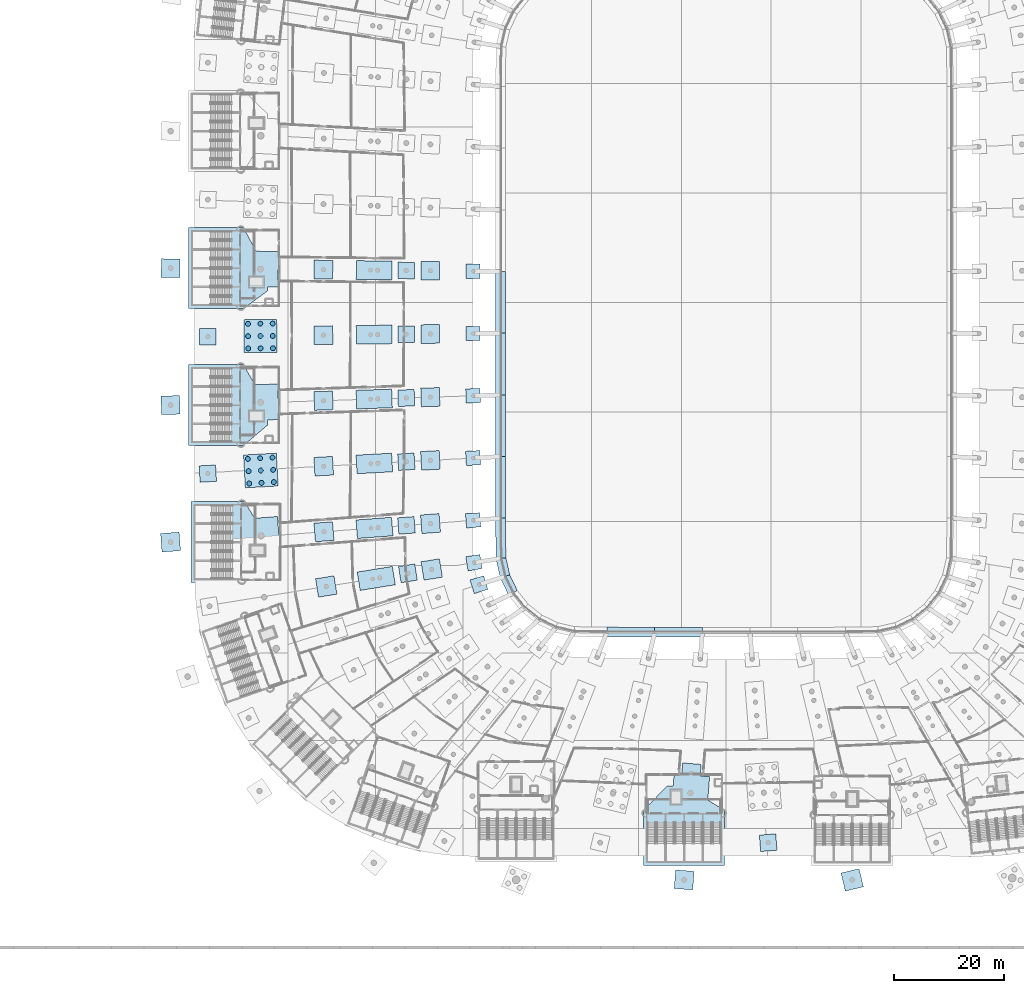
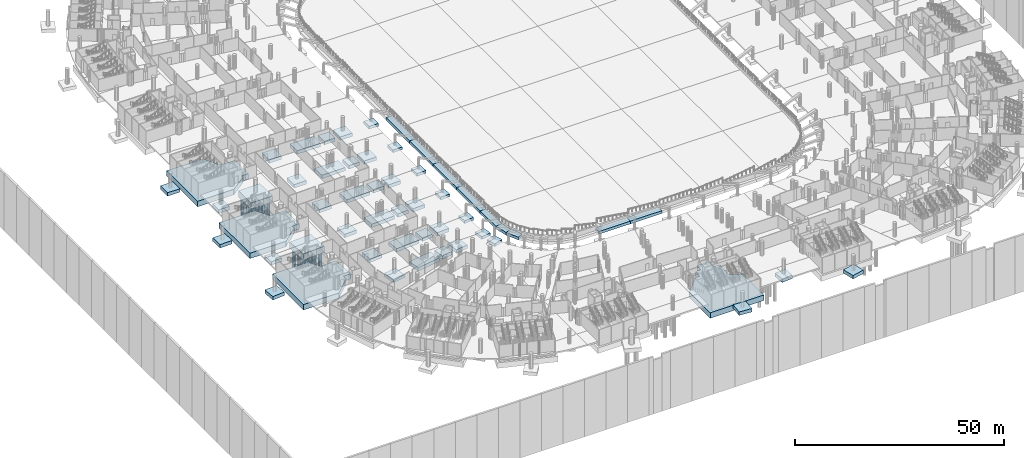
# One storey, part 2 of 142: 54 footings, 18 piles.
"""IFC4 building model written with IfcOpenShell, lengths in metres."""

from ifc_helpers import new_model, si_unit, direction, frame, origin, origin_2d, place, context, subcontext, project, spatial, polyline, circle, outline, extrude, material, material_profile, profile_set, type_object, element, save


model = new_model("IFC4")

# Units and contexts
model_context = context("Model", 3, precision=1e-05, world=origin(), true_north=direction((0.0, 1.0)))
body_context = subcontext(model_context, "Body", "Model", "MODEL_VIEW")
ifc_project = project(units=[si_unit("LENGTHUNIT", "METRE"), si_unit("AREAUNIT", "SQUARE_METRE"), si_unit("VOLUMEUNIT", "CUBIC_METRE"), si_unit("PLANEANGLEUNIT", "RADIAN"), si_unit("MASSUNIT", "GRAM", prefix="KILO")], contexts=[model_context])

# Site, building, storey
site_placement = place(None, origin())
site = spatial("IfcSite", under=ifc_project, at=site_placement, CompositionType="ELEMENT")
building_placement = place(site_placement, origin())
building = spatial("IfcBuilding", under=site, at=building_placement, Name="Meseta Stadium", CompositionType="ELEMENT")
storey_placement = place(building_placement, frame((0.0, 0.0, -4.0)))
storey = spatial("IfcBuildingStorey", under=building, at=storey_placement, Name="B1", CompositionType="ELEMENT", Elevation=-4.0)

# Piles
ifc_material_1 = material(Name="Concrete C30/37", Category="concrete")
ifc_material_profile = material_profile(ifc_material_1, circle(Radius=0.449951171875, at=origin_2d()), Name="D900")
ifc_profile_set = profile_set([ifc_material_profile], Name="Concrete C30/37")
pile_type = type_object("IfcPileType", Name="Bored pile D900 A", PredefinedType="BORED", material=ifc_profile_set)
for number, where, z_axis, x_axis, name in (
    (1, (-82.771728515625, -3.86279296875, -2.10009765625), (0.0, 0.0, -1.0), (1.0, 0.0, 0.0), "Bored pile BP9A 33-P-01"),
    (2, (-82.7470703125, -6.112548828125, -2.10009765625), (0.0, 0.0, -1.0), (1.0, 0.0, 0.0), "Bored pile BP9A 33-P-02"),
    (3, (-82.722412109375, -8.3623046875, -2.10009765625), (0.0, 0.0, -1.0), (1.0, 0.0, 0.0), "Bored pile BP9A 33-P-03"),
    (4, (-85.021728515625, -3.88720703125, -2.10009765625), (0.0, 0.0, -1.0), (1.0, 0.0, 0.0), "Bored pile BP9A 33-P-04"),
    (5, (-84.9970703125, -6.13720703125, -2.10009765625), (0.0, 0.0, -1.0), (1.0, 0.0, 0.0), "Bored pile BP9A 33-P-05"),
    (6, (-84.972412109375, -8.38720703125, -2.10009765625), (0.0, 0.0, -1.0), (1.0, 0.0, 0.0), "Bored pile BP9A 33-P-06"),
    (7, (-87.271484375, -3.912109375, -2.10009765625), (0.0, 0.0, -1.0), (1.0, 0.0, 0.0), "Bored pile BP9A 33-P-07"),
    (8, (-87.246826171875, -6.161865234375, -2.10009765625), (0.0, 0.0, -1.0), (1.0, 0.0, 0.0), "Bored pile BP9A 33-P-08"),
    (9, (-87.22216796875, -8.41162109375, -2.10009765625), (0.0, 0.0, -1.0), (1.0, 0.0, 0.0), "Bored pile BP9A 33-P-09"),
    (10, (-82.802001953125, -28.31201171875, -2.10009765625), (0.0, 0.0, -1.0), (1.0, 0.0, 0.0), "Bored pile BP9A 35-P-01"),
    (11, (-82.6787109375, -30.55859375, -2.10009765625), (0.0, 0.0, -1.0), (1.0, 0.0, 0.0), "Bored pile BP9A 35-P-02"),
    (12, (-82.555419921875, -32.80517578125, -2.10009765625), (0.0, 0.0, -1.0), (1.0, 0.0, 0.0), "Bored pile BP9A 35-P-03"),
    (13, (-85.048583984375, -28.43505859375, -2.10009765625), (0.0, 0.0, -1.0), (1.0, 0.0, 0.0), "Bored pile BP9A 35-P-04"),
    (14, (-84.92529296875, -30.681640625, -2.10009765625), (0.0, 0.0, -1.0), (1.0, 0.0, 0.0), "Bored pile BP9A 35-P-05"),
    (15, (-84.80224609375, -32.92822265625, -2.10009765625), (0.0, 0.0, -1.0), (1.0, 0.0, 0.0), "Bored pile BP9A 35-P-06"),
    (16, (-87.295166015625, -28.55810546875, -2.10009765625), (0.0, 0.0, -1.0), (1.0, 0.0, 0.0), "Bored pile BP9A 35-P-07"),
    (17, (-87.172119140625, -30.804931640625, -2.10009765625), (0.0, 0.0, -1.0), (1.0, 0.0, 0.0), "Bored pile BP9A 35-P-08"),
    (18, (-87.048828125, -33.051513671875, -2.10009765625), (0.0, 0.0, -1.0), (1.0, 0.0, 0.0), "Bored pile BP9A 35-P-09"),
):
    element("IfcPile", number, at=place(storey_placement, frame(where, z_axis=z_axis, x_axis=x_axis)), inside=storey, type_object=pile_type, Name=name, PredefinedType="BORED", context=body_context, shape_type="SweptSolid", body=[
        extrude(circle(Radius=0.449951171875, at=origin_2d()), origin(), (0.0, 0.0, 1.0), 10.89990234375),
    ])

# Footings
ifc_material_2 = material(Name="Concrete C30/37", Category="concrete")
footing_type_1 = type_object("IfcFootingType", Name="Combined footing 6500x3400", PredefinedType="PAD_FOOTING", material=ifc_material_2)
footing_1_placement = place(storey_placement, frame((0.0, 0.0, -1.39990234375)))
element("IfcFooting", 19, at=footing_1_placement, inside=storey, type_object=footing_type_1, Name="Footing F65.34 32-CD", PredefinedType="PAD_FOOTING", context=body_context, shape_type="SweptSolid", body=[
    extrude(outline(polyline([(-60.980224609375, 7.544189453125), (-67.479736328125, 7.615478515625), (-67.51708984375, 4.2158203125), (-61.017333984375, 4.144287109375), (-60.980224609375, 7.544189453125)])), origin(), (0.0, 0.0, 1.0), 1.0),
])
footing_2_placement = place(storey_placement, frame((0.0, 0.0, -1.39990234375)))
element("IfcFooting", 20, at=footing_2_placement, inside=storey, type_object=footing_type_1, Name="Footing F65.34 33-CD", PredefinedType="PAD_FOOTING", context=body_context, shape_type="SweptSolid", body=[
    extrude(outline(polyline([(-61.017333984375, -4.144287109375), (-67.51708984375, -4.2158203125), (-67.479736328125, -7.615478515625), (-60.980224609375, -7.544189453125), (-61.017333984375, -4.144287109375)])), origin(), (0.0, 0.0, 1.0), 1.0),
])
footing_3_placement = place(storey_placement, frame((0.0, 0.0, -1.39990234375)))
element("IfcFooting", 21, at=footing_3_placement, inside=storey, type_object=footing_type_1, Name="Footing F65.34 34-CD", PredefinedType="PAD_FOOTING", context=body_context, shape_type="SweptSolid", body=[
    extrude(outline(polyline([(-61.045166015625, -15.83349609375), (-67.54150390625, -16.047119140625), (-67.4296875, -19.4453125), (-60.933349609375, -19.231689453125), (-61.045166015625, -15.83349609375)])), origin(), (0.0, 0.0, 1.0), 1.0),
])
footing_4_placement = place(storey_placement, frame((0.0, 0.0, -1.39990234375)))
element("IfcFooting", 22, at=footing_4_placement, inside=storey, type_object=footing_type_1, Name="Footing F65.34 35-CD", PredefinedType="PAD_FOOTING", context=body_context, shape_type="SweptSolid", body=[
    extrude(outline(polyline([(-61.06298828125, -27.5224609375), (-67.55322265625, -27.878173828125), (-67.3671875, -31.273193359375), (-60.876953125, -30.917236328125), (-61.06298828125, -27.5224609375)])), origin(), (0.0, 0.0, 1.0), 1.0),
])
footing_5_placement = place(storey_placement, frame((0.0, 0.0, -1.39990234375)))
element("IfcFooting", 23, at=footing_5_placement, inside=storey, type_object=footing_type_1, Name="Footing F65.34 36-CD", PredefinedType="PAD_FOOTING", context=body_context, shape_type="SweptSolid", body=[
    extrude(outline(polyline([(-61.0712890625, -39.210693359375), (-67.552490234375, -39.7080078125), (-67.292236328125, -43.097900390625), (-60.811279296875, -42.6005859375), (-61.0712890625, -39.210693359375)])), origin(), (0.0, 0.0, 1.0), 1.0),
])
footing_6_placement = place(storey_placement, frame((0.0, 0.0, -1.39990234375)))
element("IfcFooting", 24, at=footing_6_placement, inside=storey, type_object=footing_type_1, Name="Footing F65.34 37-CD", PredefinedType="PAD_FOOTING", context=body_context, shape_type="SweptSolid", body=[
    extrude(outline(polyline([(-60.92138671875, -48.18115234375), (-67.3388671875, -49.21484375), (-66.798095703125, -52.571533203125), (-60.380859375, -51.5380859375), (-60.92138671875, -48.18115234375)])), origin(), (0.0, 0.0, 1.0), 1.0),
])
ifc_material_3 = material(Name="Concrete C30/37", Category="concrete")
footing_type_2 = type_object("IfcFootingType", Name="Pad footing 2600", PredefinedType="PAD_FOOTING", material=ifc_material_3)
footing_7_placement = place(storey_placement, frame((0.0, 0.0, -1.199951171875)))
element("IfcFooting", 25, at=footing_7_placement, inside=storey, type_object=footing_type_2, Name="Footing F26 32-A", PredefinedType="PAD_FOOTING", context=body_context, shape_type="SweptSolid", body=[
    extrude(outline(polyline([(-44.885498046875, 6.9677734375), (-47.4853515625, 6.99609375), (-47.513916015625, 4.396240234375), (-44.9140625, 4.367919921875), (-44.885498046875, 6.9677734375)])), origin(), (0.0, 0.0, 1.0), 0.800048828125),
])
footing_8_placement = place(storey_placement, frame((0.0, 0.0, -1.199951171875)))
element("IfcFooting", 26, at=footing_8_placement, inside=storey, type_object=footing_type_2, Name="Footing F26 33-A", PredefinedType="PAD_FOOTING", context=body_context, shape_type="SweptSolid", body=[
    extrude(outline(polyline([(-44.9140625, -4.367919921875), (-47.513916015625, -4.396240234375), (-47.4853515625, -6.99609375), (-44.885498046875, -6.9677734375), (-44.9140625, -4.367919921875)])), origin(), (0.0, 0.0, 1.0), 0.800048828125),
])
footing_9_placement = place(storey_placement, frame((0.0, 0.0, -1.199951171875)))
element("IfcFooting", 27, at=footing_9_placement, inside=storey, type_object=footing_type_2, Name="Footing F26 34-A", PredefinedType="PAD_FOOTING", context=body_context, shape_type="SweptSolid", body=[
    extrude(outline(polyline([(-44.940673828125, -15.703857421875), (-47.539306640625, -15.789306640625), (-47.45361328125, -18.387939453125), (-44.855224609375, -18.302490234375), (-44.940673828125, -15.703857421875)])), origin(), (0.0, 0.0, 1.0), 0.800048828125),
])
footing_10_placement = place(storey_placement, frame((0.0, 0.0, -1.199951171875)))
element("IfcFooting", 28, at=footing_10_placement, inside=storey, type_object=footing_type_2, Name="Footing F26 35-A", PredefinedType="PAD_FOOTING", context=body_context, shape_type="SweptSolid", body=[
    extrude(outline(polyline([(-44.96533203125, -27.040283203125), (-47.561279296875, -27.182861328125), (-47.419189453125, -29.77880859375), (-44.822998046875, -29.636474609375), (-44.96533203125, -27.040283203125)])), origin(), (0.0, 0.0, 1.0), 0.800048828125),
])
footing_11_placement = place(storey_placement, frame((0.0, 0.0, -1.199951171875)))
element("IfcFooting", 29, at=footing_11_placement, inside=storey, type_object=footing_type_2, Name="Footing F26 36-A", PredefinedType="PAD_FOOTING", context=body_context, shape_type="SweptSolid", body=[
    extrude(outline(polyline([(-44.988037109375, -38.377197265625), (-47.580322265625, -38.576416015625), (-47.38134765625, -41.168701171875), (-44.7890625, -40.9697265625), (-44.988037109375, -38.377197265625)])), origin(), (0.0, 0.0, 1.0), 0.800048828125),
])
footing_12_placement = place(storey_placement, frame((0.0, 0.0, -1.199951171875)))
element("IfcFooting", 30, at=footing_12_placement, inside=storey, type_object=footing_type_2, Name="Footing F26 37-A", PredefinedType="PAD_FOOTING", context=body_context, shape_type="SweptSolid", body=[
    extrude(outline(polyline([(-44.962890625, -46.01611328125), (-47.52978515625, -46.429443359375), (-47.1162109375, -48.99658203125), (-44.54931640625, -48.5830078125), (-44.962890625, -46.01611328125)])), origin(), (0.0, 0.0, 1.0), 0.800048828125),
])
footing_13_placement = place(storey_placement, frame((0.0, 0.0, -1.199951171875)))
element("IfcFooting", 31, at=footing_13_placement, inside=storey, type_object=footing_type_2, Name="Footing F26 38-A", PredefinedType="PAD_FOOTING", context=body_context, shape_type="SweptSolid", body=[
    extrude(outline(polyline([(-44.2685546875, -49.880615234375), (-46.74951171875, -50.658203125), (-45.9716796875, -53.139404296875), (-43.49072265625, -52.361328125), (-44.2685546875, -49.880615234375)])), origin(), (0.0, 0.0, 1.0), 0.800048828125),
])
ifc_material_4 = material(Name="Concrete C30/37", Category="concrete")
footing_type_3 = type_object("IfcFootingType", Name="Pad footing 3000", PredefinedType="PAD_FOOTING", material=ifc_material_4)
footing_14_placement = place(storey_placement, frame((0.0, 0.0, -1.39990234375)))
element("IfcFooting", 32, at=footing_14_placement, inside=storey, type_object=footing_type_3, Name="Footing F30 32-U", PredefinedType="PAD_FOOTING", context=body_context, shape_type="SweptSolid", body=[
    extrude(outline(polyline([(-56.882568359375, 7.29931640625), (-59.88232421875, 7.33203125), (-59.915283203125, 4.332275390625), (-56.91552734375, 4.29931640625), (-56.882568359375, 7.29931640625)])), origin(), (0.0, 0.0, 1.0), 1.0),
])
footing_15_placement = place(storey_placement, frame((0.0, 0.0, -1.39990234375)))
element("IfcFooting", 33, at=footing_15_placement, inside=storey, type_object=footing_type_3, Name="Footing F30 33-R", PredefinedType="PAD_FOOTING", context=body_context, shape_type="SweptSolid", body=[
    extrude(outline(polyline([(-93.116455078125, -4.733642578125), (-96.116455078125, -4.7666015625), (-96.08349609375, -7.766357421875), (-93.08349609375, -7.7333984375), (-93.116455078125, -4.733642578125)])), origin(), (0.0, 0.0, 1.0), 1.0),
])
footing_16_placement = place(storey_placement, frame((0.0, 0.0, -1.39990234375)))
element("IfcFooting", 34, at=footing_16_placement, inside=storey, type_object=footing_type_3, Name="Footing F30 33-U", PredefinedType="PAD_FOOTING", context=body_context, shape_type="SweptSolid", body=[
    extrude(outline(polyline([(-56.91552734375, -4.29931640625), (-59.915283203125, -4.332275390625), (-59.88232421875, -7.33203125), (-56.882568359375, -7.29931640625), (-56.91552734375, -4.29931640625)])), origin(), (0.0, 0.0, 1.0), 1.0),
])
footing_17_placement = place(storey_placement, frame((0.0, 0.0, -1.39990234375)))
element("IfcFooting", 35, at=footing_17_placement, inside=storey, type_object=footing_type_3, Name="Footing F30 34-U", PredefinedType="PAD_FOOTING", context=body_context, shape_type="SweptSolid", body=[
    extrude(outline(polyline([(-56.940673828125, -15.898681640625), (-59.939208984375, -15.997314453125), (-59.840576171875, -18.99560546875), (-56.842041015625, -18.89697265625), (-56.940673828125, -15.898681640625)])), origin(), (0.0, 0.0, 1.0), 1.0),
])
footing_18_placement = place(storey_placement, frame((0.0, 0.0, -1.39990234375)))
element("IfcFooting", 36, at=footing_18_placement, inside=storey, type_object=footing_type_3, Name="Footing F30 35-R", PredefinedType="PAD_FOOTING", context=body_context, shape_type="SweptSolid", body=[
    extrude(outline(polyline([(-93.184326171875, -29.670166015625), (-96.179931640625, -29.83447265625), (-96.015625, -32.829833984375), (-93.02001953125, -32.66552734375), (-93.184326171875, -29.670166015625)])), origin(), (0.0, 0.0, 1.0), 1.0),
])
footing_19_placement = place(storey_placement, frame((0.0, 0.0, -1.39990234375)))
element("IfcFooting", 37, at=footing_19_placement, inside=storey, type_object=footing_type_3, Name="Footing F30 35-U", PredefinedType="PAD_FOOTING", context=body_context, shape_type="SweptSolid", body=[
    extrude(outline(polyline([(-56.958251953125, -27.497802734375), (-59.953857421875, -27.661865234375), (-59.78955078125, -30.657470703125), (-56.7939453125, -30.4931640625), (-56.958251953125, -27.497802734375)])), origin(), (0.0, 0.0, 1.0), 1.0),
])
footing_20_placement = place(storey_placement, frame((0.0, 0.0, -1.39990234375)))
element("IfcFooting", 38, at=footing_20_placement, inside=storey, type_object=footing_type_3, Name="Footing F30 36-U", PredefinedType="PAD_FOOTING", context=body_context, shape_type="SweptSolid", body=[
    extrude(outline(polyline([(-56.96826171875, -39.09619140625), (-59.95947265625, -39.32568359375), (-59.729736328125, -42.31689453125), (-56.738525390625, -42.08740234375), (-56.96826171875, -39.09619140625)])), origin(), (0.0, 0.0, 1.0), 1.0),
])
footing_21_placement = place(storey_placement, frame((0.0, 0.0, -1.39990234375)))
element("IfcFooting", 39, at=footing_21_placement, inside=storey, type_object=footing_type_3, Name="Footing F30 37-U", PredefinedType="PAD_FOOTING", context=body_context, shape_type="SweptSolid", body=[
    extrude(outline(polyline([(-56.841796875, -47.726806640625), (-59.8037109375, -48.203857421875), (-59.32666015625, -51.16552734375), (-56.364990234375, -50.688720703125), (-56.841796875, -47.726806640625)])), origin(), (0.0, 0.0, 1.0), 1.0),
])
footing_22_placement = place(storey_placement, frame((0.0, 0.0, -1.39990234375)))
element("IfcFooting", 40, at=footing_22_placement, inside=storey, type_object=footing_type_3, Name="Footing F30 47-R", PredefinedType="PAD_FOOTING", context=body_context, shape_type="SweptSolid", body=[
    extrude(outline(polyline([(6.052734375, -97.223388671875), (6.2900390625, -100.214111328125), (9.280517578125, -99.9765625), (9.043212890625, -96.986083984375), (6.052734375, -97.223388671875)])), origin(), (0.0, 0.0, 1.0), 1.0),
])
ifc_material_5 = material(Name="Concrete C30/37", Category="concrete")
footing_type_4 = type_object("IfcFootingType", Name="Pad footing 3400", PredefinedType="PAD_FOOTING", material=ifc_material_5)
footing_23_placement = place(storey_placement, frame((0.0, 0.0, -1.39990234375)))
element("IfcFooting", 41, at=footing_23_placement, inside=storey, type_object=footing_type_4, Name="Footing F34 32-B", PredefinedType="PAD_FOOTING", context=body_context, shape_type="SweptSolid", body=[
    extrude(outline(polyline([(-52.28076171875, 7.44873046875), (-55.680419921875, 7.486083984375), (-55.7177734375, 4.086181640625), (-52.318115234375, 4.049072265625), (-52.28076171875, 7.44873046875)])), origin(), (0.0, 0.0, 1.0), 1.0),
])
footing_24_placement = place(storey_placement, frame((0.0, 0.0, -1.39990234375)))
element("IfcFooting", 42, at=footing_24_placement, inside=storey, type_object=footing_type_4, Name="Footing F34 32-E", PredefinedType="PAD_FOOTING", context=body_context, shape_type="SweptSolid", body=[
    extrude(outline(polyline([(-71.779541015625, 7.66259765625), (-75.17919921875, 7.699951171875), (-75.216552734375, 4.300048828125), (-71.81689453125, 4.2626953125), (-71.779541015625, 7.66259765625)])), origin(), (0.0, 0.0, 1.0), 1.0),
])
footing_25_placement = place(storey_placement, frame((0.0, 0.0, -1.39990234375)))
element("IfcFooting", 43, at=footing_25_placement, inside=storey, type_object=footing_type_4, Name="Footing F34 32-R", PredefinedType="PAD_FOOTING", context=body_context, shape_type="SweptSolid", body=[
    extrude(outline(polyline([(-99.681396484375, 7.931396484375), (-103.081298828125, 7.968505859375), (-103.118408203125, 4.568603515625), (-99.71875, 4.531494140625), (-99.681396484375, 7.931396484375)])), origin(), (0.0, 0.0, 1.0), 1.0),
])
footing_26_placement = place(storey_placement, frame((0.0, 0.0, -1.39990234375)))
element("IfcFooting", 44, at=footing_26_placement, inside=storey, type_object=footing_type_4, Name="Footing F34 33-B", PredefinedType="PAD_FOOTING", context=body_context, shape_type="SweptSolid", body=[
    extrude(outline(polyline([(-52.318115234375, -4.049072265625), (-55.7177734375, -4.086181640625), (-55.680419921875, -7.486083984375), (-52.28076171875, -7.44873046875), (-52.318115234375, -4.049072265625)])), origin(), (0.0, 0.0, 1.0), 1.0),
])
footing_27_placement = place(storey_placement, frame((0.0, 0.0, -1.39990234375)))
element("IfcFooting", 45, at=footing_27_placement, inside=storey, type_object=footing_type_4, Name="Footing F34 33-E", PredefinedType="PAD_FOOTING", context=body_context, shape_type="SweptSolid", body=[
    extrude(outline(polyline([(-71.81689453125, -4.2626953125), (-75.216552734375, -4.300048828125), (-75.17919921875, -7.699951171875), (-71.779541015625, -7.66259765625), (-71.81689453125, -4.2626953125)])), origin(), (0.0, 0.0, 1.0), 1.0),
])
footing_28_placement = place(storey_placement, frame((0.0, 0.0, -1.39990234375)))
element("IfcFooting", 46, at=footing_28_placement, inside=storey, type_object=footing_type_4, Name="Footing F34 34-B", PredefinedType="PAD_FOOTING", context=body_context, shape_type="SweptSolid", body=[
    extrude(outline(polyline([(-52.349853515625, -15.54736328125), (-55.747802734375, -15.6591796875), (-55.63623046875, -19.057373046875), (-52.238037109375, -18.945556640625), (-52.349853515625, -15.54736328125)])), origin(), (0.0, 0.0, 1.0), 1.0),
])
footing_29_placement = place(storey_placement, frame((0.0, 0.0, -1.39990234375)))
element("IfcFooting", 47, at=footing_29_placement, inside=storey, type_object=footing_type_4, Name="Footing F34 34-E", PredefinedType="PAD_FOOTING", context=body_context, shape_type="SweptSolid", body=[
    extrude(outline(polyline([(-71.839111328125, -16.1884765625), (-75.2373046875, -16.30029296875), (-75.12548828125, -19.698486328125), (-71.7275390625, -19.586669921875), (-71.839111328125, -16.1884765625)])), origin(), (0.0, 0.0, 1.0), 1.0),
])
footing_30_placement = place(storey_placement, frame((0.0, 0.0, -1.39990234375)))
element("IfcFooting", 48, at=footing_30_placement, inside=storey, type_object=footing_type_4, Name="Footing F34 34-R", PredefinedType="PAD_FOOTING", context=body_context, shape_type="SweptSolid", body=[
    extrude(outline(polyline([(-99.7568359375, -16.9951171875), (-103.155029296875, -17.106689453125), (-103.043212890625, -20.5048828125), (-99.64501953125, -20.393310546875), (-99.7568359375, -16.9951171875)])), origin(), (0.0, 0.0, 1.0), 1.0),
])
footing_31_placement = place(storey_placement, frame((0.0, 0.0, -1.39990234375)))
element("IfcFooting", 49, at=footing_31_placement, inside=storey, type_object=footing_type_4, Name="Footing F34 35-B", PredefinedType="PAD_FOOTING", context=body_context, shape_type="SweptSolid", body=[
    extrude(outline(polyline([(-52.376220703125, -27.046142578125), (-55.77099609375, -27.232421875), (-55.5849609375, -30.627197265625), (-52.18994140625, -30.44091796875), (-52.376220703125, -27.046142578125)])), origin(), (0.0, 0.0, 1.0), 1.0),
])
footing_32_placement = place(storey_placement, frame((0.0, 0.0, -1.39990234375)))
element("IfcFooting", 50, at=footing_32_placement, inside=storey, type_object=footing_type_4, Name="Footing F34 35-E", PredefinedType="PAD_FOOTING", context=body_context, shape_type="SweptSolid", body=[
    extrude(outline(polyline([(-71.846923828125, -28.113525390625), (-75.24169921875, -28.2998046875), (-75.0556640625, -31.694580078125), (-71.660888671875, -31.508544921875), (-71.846923828125, -28.113525390625)])), origin(), (0.0, 0.0, 1.0), 1.0),
])
footing_33_placement = place(storey_placement, frame((0.0, 0.0, -1.39990234375)))
element("IfcFooting", 51, at=footing_33_placement, inside=storey, type_object=footing_type_4, Name="Footing F34 36-B", PredefinedType="PAD_FOOTING", context=body_context, shape_type="SweptSolid", body=[
    extrude(outline(polyline([(-52.39697265625, -38.544921875), (-55.787109375, -38.804931640625), (-55.52685546875, -42.195068359375), (-52.13671875, -41.934814453125), (-52.39697265625, -38.544921875)])), origin(), (0.0, 0.0, 1.0), 1.0),
])
footing_34_placement = place(storey_placement, frame((0.0, 0.0, -1.39990234375)))
element("IfcFooting", 52, at=footing_34_placement, inside=storey, type_object=footing_type_4, Name="Footing F34 36-E", PredefinedType="PAD_FOOTING", context=body_context, shape_type="SweptSolid", body=[
    extrude(outline(polyline([(-71.83984375, -40.037109375), (-75.229736328125, -40.29736328125), (-74.969482421875, -43.687255859375), (-71.57958984375, -43.427001953125), (-71.83984375, -40.037109375)])), origin(), (0.0, 0.0, 1.0), 1.0),
])
footing_35_placement = place(storey_placement, frame((0.0, 0.0, -1.39990234375)))
element("IfcFooting", 53, at=footing_35_placement, inside=storey, type_object=footing_type_4, Name="Footing F34 36-R", PredefinedType="PAD_FOOTING", context=body_context, shape_type="SweptSolid", body=[
    extrude(outline(polyline([(-99.835205078125, -41.9248046875), (-103.22509765625, -42.18505859375), (-102.96484375, -45.5751953125), (-99.574951171875, -45.31494140625), (-99.835205078125, -41.9248046875)])), origin(), (0.0, 0.0, 1.0), 1.0),
])
footing_36_placement = place(storey_placement, frame((0.0, 0.0, -1.39990234375)))
element("IfcFooting", 54, at=footing_36_placement, inside=storey, type_object=footing_type_4, Name="Footing F34 37-B", PredefinedType="PAD_FOOTING", context=body_context, shape_type="SweptSolid", body=[
    extrude(outline(polyline([(-52.332275390625, -46.7978515625), (-55.68896484375, -47.33837890625), (-55.1484375, -50.6953125), (-51.79150390625, -50.154541015625), (-52.332275390625, -46.7978515625)])), origin(), (0.0, 0.0, 1.0), 1.0),
])
footing_37_placement = place(storey_placement, frame((0.0, 0.0, -1.39990234375)))
element("IfcFooting", 55, at=footing_37_placement, inside=storey, type_object=footing_type_4, Name="Footing F34 37-E", PredefinedType="PAD_FOOTING", context=body_context, shape_type="SweptSolid", body=[
    extrude(outline(polyline([(-71.583984375, -49.8984375), (-74.94091796875, -50.439208984375), (-74.400390625, -53.7958984375), (-71.04345703125, -53.255126953125), (-71.583984375, -49.8984375)])), origin(), (0.0, 0.0, 1.0), 1.0),
])
footing_38_placement = place(storey_placement, frame((0.0, 0.0, -1.39990234375)))
element("IfcFooting", 56, at=footing_38_placement, inside=storey, type_object=footing_type_4, Name="Footing F34 46-R", PredefinedType="PAD_FOOTING", context=body_context, shape_type="SweptSolid", body=[
    extrude(outline(polyline([(-9.226806640625, -103.57080078125), (-9.495849609375, -106.960205078125), (-6.1064453125, -107.229248046875), (-5.83740234375, -103.83984375), (-9.226806640625, -103.57080078125)])), origin(), (0.0, 0.0, 1.0), 1.0),
])
footing_39_placement = place(storey_placement, frame((0.0, 0.0, -1.39990234375)))
element("IfcFooting", 57, at=footing_39_placement, inside=storey, type_object=footing_type_4, Name="Footing F34 48-R", PredefinedType="PAD_FOOTING", context=body_context, shape_type="SweptSolid", body=[
    extrude(outline(polyline([(20.952392578125, -104.139892578125), (21.739990234375, -107.447509765625), (25.047607421875, -106.659912109375), (24.260009765625, -103.3525390625), (20.952392578125, -104.139892578125)])), origin(), (0.0, 0.0, 1.0), 1.0),
])
ifc_material_6 = material(Name="Concrete C30/37", Category="concrete")
footing_type_5 = type_object("IfcFootingType", Name="Pile cap 6000", PredefinedType="PILE_CAP", material=ifc_material_6)
footing_40_placement = place(storey_placement, frame((0.0, 0.0, -2.199951171875)))
element("IfcFooting", 58, at=footing_40_placement, inside=storey, type_object=footing_type_5, Name="Pile cap PC60 33-P", PredefinedType="PILE_CAP", context=body_context, shape_type="SweptSolid", body=[
    extrude(outline(polyline([(-82.030029296875, -3.1044921875), (-88.02978515625, -3.17041015625), (-87.9638671875, -9.169921875), (-81.96435546875, -9.10400390625), (-82.030029296875, -3.1044921875)])), origin(), (0.0, 0.0, 1.0), 1.800048828125),
])
footing_41_placement = place(storey_placement, frame((0.0, 0.0, -2.199951171875)))
element("IfcFooting", 59, at=footing_41_placement, inside=storey, type_object=footing_type_5, Name="Pile cap PC60 35-P", PredefinedType="PILE_CAP", context=body_context, shape_type="SweptSolid", body=[
    extrude(outline(polyline([(-82.093994140625, -27.52197265625), (-88.085205078125, -27.850341796875), (-87.756591796875, -33.84130859375), (-81.765625, -33.512939453125), (-82.093994140625, -27.52197265625)])), origin(), (0.0, 0.0, 1.0), 1.800048828125),
])
ifc_material_7 = material(Name="Concrete C30/37", Category="concrete")
footing_type_6 = type_object("IfcFootingType", Name="Raft 16300x14800", PredefinedType="PAD_FOOTING", material=ifc_material_7)
footing_42_placement = place(storey_placement, frame((0.0, 0.0, -2.800048828125)))
element("IfcFooting", 60, at=footing_42_placement, inside=storey, type_object=footing_type_6, Name="Footing R163.148 36-CORE", PredefinedType="PAD_FOOTING", context=body_context, shape_type="SweptSolid", body=[
    extrude(outline(polyline([(-97.699951171875, -51.14990234375), (-87.89990234375, -51.14990234375), (-83.5, -46.89990234375), (-83.5, -45.71484375), (-81.394775390625, -45.55322265625), (-81.89208984375, -39.072265625), (-86.053955078125, -39.391845703125), (-87.89990234375, -36.35009765625), (-97.699951171875, -36.35009765625), (-97.699951171875, -51.14990234375)])), origin(), (0.0, 0.0, 1.0), 1.60009765625),
])
ifc_material_8 = material(Name="Concrete C30/37", Category="concrete")
footing_type_7 = type_object("IfcFootingType", Name="Raft 16400x14800", PredefinedType="PAD_FOOTING", material=ifc_material_8)
footing_43_placement = place(storey_placement, frame((0.0, 0.0, -2.800048828125)))
element("IfcFooting", 61, at=footing_43_placement, inside=storey, type_object=footing_type_7, Name="Footing R164.148 32-CORE", PredefinedType="PAD_FOOTING", context=body_context, shape_type="SweptSolid", body=[
    extrude(outline(polyline([(-85.801513671875, 9.34033203125), (-88.10009765625, 13.64990234375), (-98.10009765625, 13.64990234375), (-98.10009765625, -1.14990234375), (-88.10009765625, -1.14990234375), (-83.699951171875, 2.10009765625), (-83.699951171875, 2.81689453125), (-81.783447265625, 2.7958984375), (-81.712158203125, 9.295654296875), (-85.801513671875, 9.34033203125)])), origin(), (0.0, 0.0, 1.0), 1.60009765625),
])
ifc_material_9 = material(Name="Concrete C30/37", Category="concrete")
footing_type_8 = type_object("IfcFootingType", Name="Raft 16500x14800", PredefinedType="PAD_FOOTING", material=ifc_material_9)
footing_44_placement = place(storey_placement, frame((0.0, 0.0, -2.800048828125)))
element("IfcFooting", 62, at=footing_44_placement, inside=storey, type_object=footing_type_8, Name="Footing R165.148 34-CORE", PredefinedType="PAD_FOOTING", context=body_context, shape_type="SweptSolid", body=[
    extrude(outline(polyline([(-98.10009765625, -26.14990234375), (-88.10009765625, -26.14990234375), (-83.699951171875, -22.39990234375), (-83.699951171875, -21.453369140625), (-81.62353515625, -21.385009765625), (-81.837158203125, -14.888427734375), (-86.01318359375, -15.02587890625), (-88.10009765625, -11.35009765625), (-98.10009765625, -11.35009765625), (-98.10009765625, -26.14990234375)])), origin(), (0.0, 0.0, 1.0), 1.60009765625),
])
ifc_material_10 = material(Name="Concrete C30/37", Category="concrete")
footing_type_9 = type_object("IfcFootingType", Name="Raft 18800x14800", PredefinedType="PAD_FOOTING", material=ifc_material_10)
footing_45_placement = place(storey_placement, frame((0.0, 0.0, -2.800048828125)))
element("IfcFooting", 63, at=footing_45_placement, inside=storey, type_object=footing_type_9, Name="Footing R188.148 46-CORE", PredefinedType="PAD_FOOTING", context=body_context, shape_type="SweptSolid", body=[
    extrude(outline(polyline([(-15.066650390625, -102.800048828125), (-0.2666015625, -102.800048828125), (-0.2666015625, -92.699951171875), (-3.358154296875, -90.82373046875), (-3.02001953125, -86.563720703125), (-4.7255859375, -86.428466796875), (-4.557861328125, -84.316650390625), (-7.947265625, -84.047607421875), (-8.11474609375, -86.159423828125), (-9.499755859375, -86.049560546875), (-9.67822265625, -88.300048828125), (-10.816650390625, -88.300048828125), (-15.066650390625, -92.699951171875), (-15.066650390625, -102.800048828125)])), origin(), (0.0, 0.0, 1.0), 1.60009765625),
])
ifc_material_11 = material(Name="Concrete C30/37", Category="concrete")
footing_type_10 = type_object("IfcFootingType", Name="Strip footing 1800", PredefinedType="STRIP_FOOTING", material=ifc_material_11)
footing_46_placement = place(storey_placement, frame((0.0, 0.0, -1.199951171875)))
element("IfcFooting", 64, at=footing_46_placement, inside=storey, type_object=footing_type_10, Name="Strip footing pitch wall bay 33", PredefinedType="STRIP_FOOTING", context=body_context, shape_type="SweptSolid", body=[
    extrude(outline(polyline([(-42.10009765625, 5.627197265625), (-42.10009765625, -5.627197265625), (-40.300048828125, -5.627197265625), (-40.300048828125, 5.627197265625), (-42.10009765625, 5.627197265625)])), origin(), (0.0, 0.0, 1.0), 0.800048828125),
])
footing_47_placement = place(storey_placement, frame((0.0, 0.0, -1.199951171875)))
element("IfcFooting", 65, at=footing_47_placement, inside=storey, type_object=footing_type_10, Name="Strip footing pitch wall bay 34", PredefinedType="STRIP_FOOTING", context=body_context, shape_type="SweptSolid", body=[
    extrude(outline(polyline([(-42.10009765625, -5.627197265625), (-42.099853515625, -16.881591796875), (-40.2998046875, -16.881591796875), (-40.300048828125, -5.627197265625), (-42.10009765625, -5.627197265625)])), origin(), (0.0, 0.0, 1.0), 0.800048828125),
])
footing_48_placement = place(storey_placement, frame((0.0, 0.0, -1.199951171875)))
element("IfcFooting", 66, at=footing_48_placement, inside=storey, type_object=footing_type_10, Name="Strip footing pitch wall bay 35", PredefinedType="STRIP_FOOTING", context=body_context, shape_type="SweptSolid", body=[
    extrude(outline(polyline([(-42.099853515625, -16.881591796875), (-42.099609375, -28.135986328125), (-40.2998046875, -28.135986328125), (-40.2998046875, -16.881591796875), (-42.099853515625, -16.881591796875)])), origin(), (0.0, 0.0, 1.0), 0.800048828125),
])
footing_49_placement = place(storey_placement, frame((0.0, 0.0, -1.199951171875)))
element("IfcFooting", 67, at=footing_49_placement, inside=storey, type_object=footing_type_10, Name="Strip footing pitch wall bay 36", PredefinedType="STRIP_FOOTING", context=body_context, shape_type="SweptSolid", body=[
    extrude(outline(polyline([(-42.099609375, -28.135986328125), (-42.099365234375, -39.396240234375), (-40.29931640625, -39.384521484375), (-40.2998046875, -28.135986328125), (-42.099609375, -28.135986328125)])), origin(), (0.0, 0.0, 1.0), 0.800048828125),
])
footing_50_placement = place(storey_placement, frame((0.0, 0.0, -1.199951171875)))
element("IfcFooting", 68, at=footing_50_placement, inside=storey, type_object=footing_type_10, Name="Strip footing pitch wall bay 37", PredefinedType="STRIP_FOOTING", context=body_context, shape_type="SweptSolid", body=[
    extrude(outline(polyline([(-42.099365234375, -39.396240234375), (-42.001708984375, -46.818603515625), (-40.20458984375, -46.60400390625), (-40.29931640625, -39.384521484375), (-42.099365234375, -39.396240234375)])), origin(), (0.0, 0.0, 1.0), 0.800048828125),
])
footing_51_placement = place(storey_placement, frame((0.0, 0.0, -1.199951171875)))
element("IfcFooting", 69, at=footing_51_placement, inside=storey, type_object=footing_type_10, Name="Strip footing pitch wall bay 38", PredefinedType="STRIP_FOOTING", context=body_context, shape_type="SweptSolid", body=[
    extrude(outline(polyline([(-42.001708984375, -46.818603515625), (-41.2041015625, -50.31298828125), (-39.494140625, -49.715087890625), (-40.20458984375, -46.60400390625), (-42.001708984375, -46.818603515625)])), origin(), (0.0, 0.0, 1.0), 0.800048828125),
])
footing_52_placement = place(storey_placement, frame((0.0, 0.0, -1.199951171875)))
element("IfcFooting", 70, at=footing_52_placement, inside=storey, type_object=footing_type_10, Name="Strip footing pitch wall bay 39", PredefinedType="STRIP_FOOTING", context=body_context, shape_type="SweptSolid", body=[
    extrude(outline(polyline([(-41.2041015625, -50.31298828125), (-39.6484375, -53.54833984375), (-38.11376953125, -52.586181640625), (-39.494140625, -49.715087890625), (-41.2041015625, -50.31298828125)])), origin(), (0.0, 0.0, 1.0), 0.800048828125),
])
footing_53_placement = place(storey_placement, frame((0.0, 0.0, -1.199951171875)))
element("IfcFooting", 71, at=footing_53_placement, inside=storey, type_object=footing_type_10, Name="Strip footing pitch wall bay 45", PredefinedType="STRIP_FOOTING", context=body_context, shape_type="SweptSolid", body=[
    extrude(outline(polyline([(-21.748779296875, -61.0859375), (-13.047119140625, -61.094482421875), (-13.045654296875, -59.294677734375), (-21.73193359375, -59.285888671875), (-21.748779296875, -61.0859375)])), origin(), (0.0, 0.0, 1.0), 0.800048828125),
])
footing_54_placement = place(storey_placement, frame((0.0, 0.0, -1.199951171875)))
element("IfcFooting", 72, at=footing_54_placement, inside=storey, type_object=footing_type_10, Name="Strip footing pitch wall bay 46", PredefinedType="STRIP_FOOTING", context=body_context, shape_type="SweptSolid", body=[
    extrude(outline(polyline([(-13.047119140625, -61.094482421875), (-4.349365234375, -61.099365234375), (-4.348876953125, -59.29931640625), (-13.045654296875, -59.294677734375), (-13.047119140625, -61.094482421875)])), origin(), (0.0, 0.0, 1.0), 0.800048828125),
])

save(model, "model.ifc")
